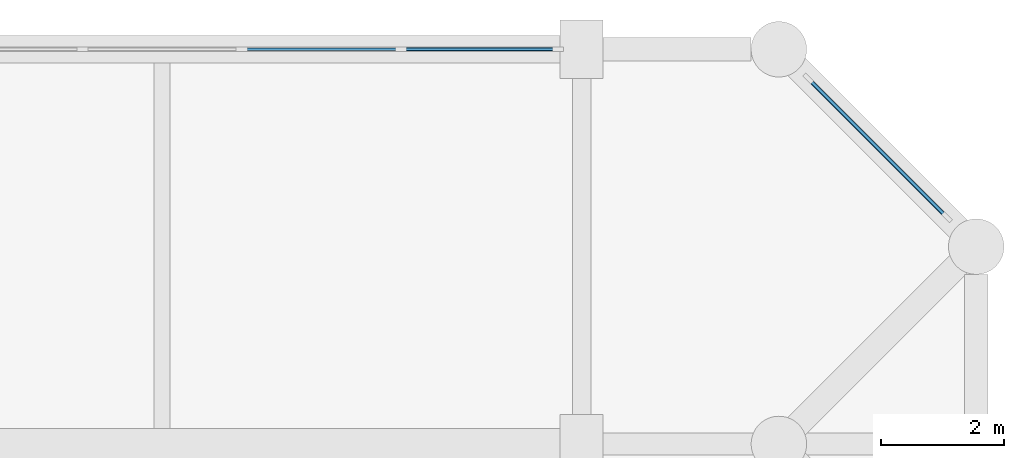
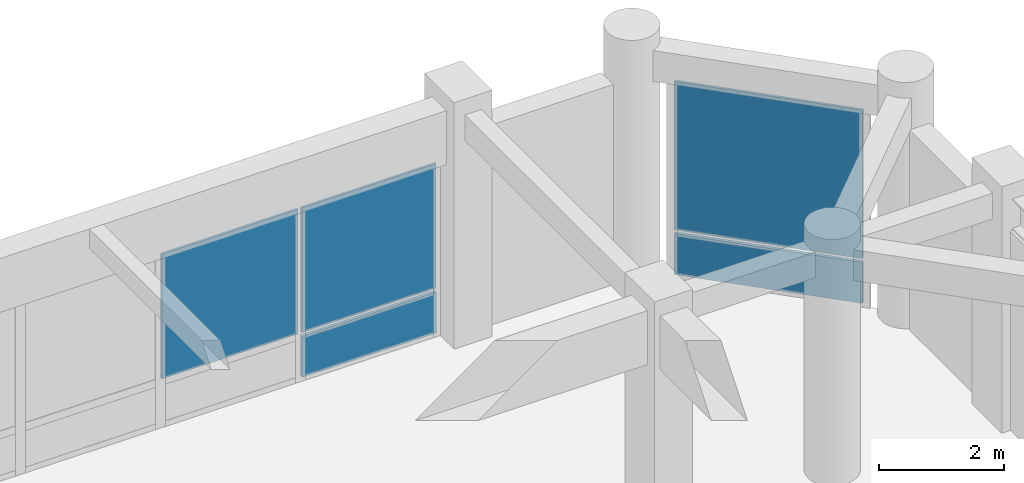
# One storey, part 39 of 61: 5 plates, 2 elements without a shape of their own.
"""IFC4 building model written with IfcOpenShell, lengths in metres."""

import ifcopenshell
import ifcopenshell.guid

model = None  # the IFC model being written
_history = None  # IfcOwnerHistory: only IFC2X3 demands one
_inside = {}  # id of a spatial element -> (the spatial element, [elements in it])
_under = {}  # id of a project, library or spatial element -> (it, [spatial elements below it])
_declared = {}  # id of a project -> (the project, [libraries it declares])
_typed = {}  # id of a type object -> (the type object, [elements of that type])
_made_of = {}  # id of a material, layer set ... -> (it, [elements and type objects made of it])


def new_model(schema):
    """Start an empty IFC model of exactly this schema.

    Asked for "IFC4X3", IfcOpenShell would pick the latest addendum, in which some entities
    have other attributes; the version numbers below select the first issue.
    IFC2X3 requires an IfcOwnerHistory on every rooted entity: one is made here for all.
    """
    global model, _history
    if schema == "IFC4X3":
        model = ifcopenshell.file(schema_version=(4, 3, 0, 0))
    else:
        model = ifcopenshell.file(schema=schema)
    _inside.clear()
    _under.clear()
    _declared.clear()
    _typed.clear()
    _made_of.clear()
    _history = None
    if model.schema == "IFC2X3":
        org = make("IfcOrganization", Name="unknown")
        user = make(
            "IfcPersonAndOrganization",
            ThePerson=make("IfcPerson", FamilyName="unknown"),
            TheOrganization=org,
        )
        app = make(
            "IfcApplication",
            ApplicationDeveloper=org,
            Version="unknown",
            ApplicationFullName="unknown",
            ApplicationIdentifier="unknown",
        )
        _history = make(
            "IfcOwnerHistory",
            OwningUser=user,
            OwningApplication=app,
            ChangeAction="ADDED",
            CreationDate=0,
        )
    return model


def make(cls, **values):
    """One entity of the class cls with the attributes given. An attribute that is None is left unset."""
    return model.create_entity(
        cls, **{name: value for name, value in values.items() if value is not None}
    )


def rooted(cls, **values):
    """An entity with a GlobalId (a new one), such as an element, a storey or a relation."""
    return make(cls, GlobalId=ifcopenshell.guid.new(), OwnerHistory=_history, **values)


def si_unit(unit_type, name, prefix=None):
    """IfcSIUnit, for example si_unit("LENGTHUNIT", "METRE", prefix="MILLI")."""
    return make("IfcSIUnit", UnitType=unit_type, Prefix=prefix, Name=name)


def assignment(units):
    """IfcUnitAssignment: the units of a project."""
    return None if units is None else make("IfcUnitAssignment", Units=units)


def point(xyz):
    """IfcCartesianPoint."""
    return None if xyz is None else make("IfcCartesianPoint", Coordinates=xyz)


def direction(xyz):
    """IfcDirection."""
    return None if xyz is None else make("IfcDirection", DirectionRatios=xyz)


def frame(location, z_axis=None, x_axis=None):
    """IfcAxis2Placement3D, a coordinate frame: its origin and axes. An axis left out is left unset."""
    return make(
        "IfcAxis2Placement3D",
        Location=point(location),
        Axis=direction(z_axis),
        RefDirection=direction(x_axis),
    )


def frame_2d(location, x_axis=None):
    """IfcAxis2Placement2D, a coordinate frame in the plane: its origin and x axis."""
    return make(
        "IfcAxis2Placement2D", Location=point(location), RefDirection=direction(x_axis)
    )


def origin():
    """The frame at (0, 0, 0) with its axes left unset."""
    return frame((0.0, 0.0, 0.0))


def origin_2d():
    """The frame at (0, 0) in the plane with its x axis left unset."""
    return frame_2d((0.0, 0.0))


def place(relative_to, where):
    """IfcLocalPlacement: puts the frame where relative to a parent placement (None: the world)."""
    return make(
        "IfcLocalPlacement", PlacementRelTo=relative_to, RelativePlacement=where
    )


def context(
    kind, dimensions, precision=None, world=None, true_north=None, identifier=None
):
    """IfcGeometricRepresentationContext, for example the 3D "Model" context."""
    return make(
        "IfcGeometricRepresentationContext",
        ContextIdentifier=identifier,
        ContextType=kind,
        CoordinateSpaceDimension=dimensions,
        Precision=precision,
        WorldCoordinateSystem=world,
        TrueNorth=true_north,
    )


def subcontext(parent, identifier, kind, view, scale=None):
    """IfcGeometricRepresentationSubContext, for example "Body" below "Model"."""
    return make(
        "IfcGeometricRepresentationSubContext",
        ContextIdentifier=identifier,
        ContextType=kind,
        ParentContext=parent,
        TargetScale=scale,
        TargetView=view,
    )


def project(units=None, contexts=None):
    """IfcProject with its units and contexts."""
    return rooted(
        "IfcProject",
        Name="project",
        RepresentationContexts=contexts,
        UnitsInContext=assignment(units),
    )


def spatial(cls, under=None, at=None, **own):
    """A site, building, storey or space (cls), placed at a placement, below another one or the project."""
    s = rooted(cls, ObjectPlacement=at, **own)
    if under is not None:
        _under.setdefault(under.id(), (under, []))[1].append(s)
    return s


def profile(cls, at=None, kind="AREA", **sizes):
    """A parametric profile (cls). Its sizes go by their IFC names, for example OverallWidth=200.0."""
    return make(cls, ProfileType=kind, Position=at, **sizes)


def rectangle(**sizes):
    """IfcRectangleProfileDef."""
    return profile("IfcRectangleProfileDef", **sizes)


def extrude(swept, where, along, depth):
    """IfcExtrudedAreaSolid: the profile swept, set in the frame where, extruded along a direction by depth."""
    return make(
        "IfcExtrudedAreaSolid",
        SweptArea=swept,
        Position=where,
        ExtrudedDirection=direction(along),
        Depth=depth,
    )


def shape(context_of_items, identifier, shape_type, items):
    """IfcShapeRepresentation: the items that make up one representation, for example the "Body"."""
    return make(
        "IfcShapeRepresentation",
        ContextOfItems=context_of_items,
        RepresentationIdentifier=identifier,
        RepresentationType=shape_type,
        Items=items,
    )


def material(Name=None, Category=None):
    """IfcMaterial."""
    return make("IfcMaterial", Name=Name, Category=Category)


def layer(
    of_material, thickness, ventilated=None, Name=None, Category=None, Priority=None
):
    """IfcMaterialLayer: one layer of a wall or slab, of a material (None: an air gap)."""
    return make(
        "IfcMaterialLayer",
        Material=of_material,
        LayerThickness=thickness,
        IsVentilated=ventilated,
        Name=Name,
        Category=Category,
        Priority=Priority,
    )


def layer_set(layers, Name=None):
    """IfcMaterialLayerSet."""
    return make("IfcMaterialLayerSet", MaterialLayers=layers, LayerSetName=Name)


def made_of(thing, what):
    """Note that an element or type object is made of a material, layer set ...; save() writes the relation."""
    if what is not None:
        _made_of.setdefault(what.id(), (what, []))[1].append(thing)
    return thing


def type_object(cls, material=None, **own):
    """A type object (cls), such as IfcWallType, which elements share."""
    return made_of(rooted(cls, **own), material)


def element(
    cls,
    number,
    at=None,
    inside=None,
    cuts=None,
    type_object=None,
    material=None,
    context=None,
    identifier="Body",
    shape_type=None,
    held_by="IfcProductDefinitionShape",
    body=None,
    shapes=None,
    **own,
):
    """One element of the class cls, such as IfcWall. Its Tag is "e" and its number.

    at: its placement. inside: the storey or other place that contains it. cuts: it is an
    opening in that element (IfcRelVoidsElement). A single representation is given by context,
    identifier, shape_type and body (its items); several are given by shapes. held_by: the class
    of the entity that holds the representations. save() writes the other relations.
    """
    e = rooted(cls, Tag="e%d" % number, ObjectPlacement=at, **own)
    if body is not None:
        shapes = [shape(context, identifier, shape_type, body)]
    if shapes is not None:
        e.Representation = make(held_by, Representations=shapes)
    if inside is not None:
        _inside.setdefault(inside.id(), (inside, []))[1].append(e)
    if cuts is not None:
        rooted(
            "IfcRelVoidsElement", RelatingBuildingElement=cuts, RelatedOpeningElement=e
        )
    if type_object is not None:
        _typed.setdefault(type_object.id(), (type_object, []))[1].append(e)
    return made_of(e, material)


def aggregate(whole, parts):
    """IfcRelAggregates: a whole, such as a stair, and the parts it consists of."""
    return rooted("IfcRelAggregates", RelatingObject=whole, RelatedObjects=parts)


def save(model, path):
    """Write the relations noted so far, then the file.

    IfcRelAggregates (storeys below a building ...), IfcRelContainedInSpatialStructure (elements
    in a storey), IfcRelDefinesByType, IfcRelAssociatesMaterial and IfcRelDeclares: one each for
    every whole, place, type object, material and project.
    """
    for whole, parts in _under.values():
        aggregate(whole, parts)
    for where, things in _inside.values():
        rooted(
            "IfcRelContainedInSpatialStructure",
            RelatedElements=things,
            RelatingStructure=where,
        )
    for kind, things in _typed.values():
        rooted("IfcRelDefinesByType", RelatedObjects=things, RelatingType=kind)
    for what, things in _made_of.values():
        rooted("IfcRelAssociatesMaterial", RelatedObjects=things, RelatingMaterial=what)
    for by, libraries in _declared.values():
        rooted("IfcRelDeclares", RelatingContext=by, RelatedDefinitions=libraries)
    model.write(path)


model = new_model("IFC4")

# Units and contexts
model_context = context("Model", 3, precision=1e-05, world=origin(), true_north=direction((0.0, 1.0)))
body_context = subcontext(model_context, "Body", "Model", "MODEL_VIEW")
ifc_project = project(units=[si_unit("LENGTHUNIT", "METRE"), si_unit("AREAUNIT", "SQUARE_METRE"), si_unit("VOLUMEUNIT", "CUBIC_METRE"), si_unit("PLANEANGLEUNIT", "RADIAN"), si_unit("MASSUNIT", "GRAM", prefix="KILO")], contexts=[model_context])

# Site, building, storey
site_placement = place(None, origin())
site = spatial("IfcSite", under=ifc_project, at=site_placement, CompositionType="ELEMENT")
building_placement = place(site_placement, origin())
building = spatial("IfcBuilding", under=site, at=building_placement, Name="Vellmiral Cinema and Media Centre", CompositionType="ELEMENT")
storey_placement = place(building_placement, frame((0.0, 0.0, 10.800048828125)))
storey = spatial("IfcBuildingStorey", under=building, at=storey_placement, Name="L02", CompositionType="ELEMENT", Elevation=10.800048828125)

# Curtain wall, plate
ifc_material_1 = material(Name="Thermally Broken Aluminium and Triple Glazing", Category="aluminium")
curtain_wall_type = type_object("IfcCurtainWallType", Name="CW-LIB-BAY", PredefinedType="USERDEFINED", material=ifc_material_1)
curtain_wall_1_placement = place(storey_placement, origin())
curtain_wall_1 = element("IfcCurtainWall", 1, at=curtain_wall_1_placement, inside=storey, type_object=curtain_wall_type, Name="Curtain Wall L02-B051", ObjectType="STICK CURTAIN WALL", PredefinedType="USERDEFINED")
ifc_material_2 = material(Name="Laminated Studio Acoustic Glazing", Category="glass")
ifc_layer_1 = layer(ifc_material_2, 0.0439453125, Name="Laminated Studio Acoustic Glazing")
ifc_layer_set_1 = layer_set([ifc_layer_1], Name="Laminated Studio Acoustic Glazing")
plate_type_1 = type_object("IfcPlateType", Name="CWP-ACOUST-44", PredefinedType="CURTAIN_PANEL", material=ifc_layer_set_1)
plate_1_placement = place(storey_placement, frame((166.39990234375, 113.60009765625, 0.93505859375), z_axis=(0.0, 0.0, 1.0), x_axis=(-0.707106781187, 0.707106781187, 0.0)))
plate_1 = element("IfcPlate", 2, at=plate_1_placement, type_object=plate_type_1, Name="CW-03 panel 1.2", PredefinedType="CURTAIN_PANEL", context=body_context, shape_type="SweptSolid", body=[
    extrude(rectangle(XDim=3.11279296875, YDim=0.0439453125, at=origin_2d()), origin(), (0.0, 0.0, 1.0), 2.89501953125),
])

# Curtain wall, plates
curtain_wall_2_placement = place(storey_placement, origin())
curtain_wall_2 = element("IfcCurtainWall", 3, at=curtain_wall_2_placement, inside=storey, type_object=curtain_wall_type, Name="Curtain Wall L02-B053", ObjectType="STICK CURTAIN WALL", PredefinedType="USERDEFINED")
plate_2_placement = place(storey_placement, frame((159.9423828125, 115.199951171875, 0.93505859375), z_axis=(0.0, 0.0, 1.0), x_axis=(-1.0, 0.0, 0.0)))
plate_2 = element("IfcPlate", 4, at=plate_2_placement, type_object=plate_type_1, Name="CW-03 panel 1.2", PredefinedType="CURTAIN_PANEL", context=body_context, shape_type="SweptSolid", body=[
    extrude(rectangle(XDim=2.47509765625, YDim=0.0439453125, at=origin_2d()), origin(), (0.0, 0.0, 1.0), 2.429931640625),
])
plate_3_placement = place(storey_placement, frame((157.3798828125, 115.199951171875, 0.93505859375), z_axis=(0.0, 0.0, 1.0), x_axis=(-1.0, 0.0, 0.0)))
plate_3 = element("IfcPlate", 5, at=plate_3_placement, type_object=plate_type_1, Name="CW-03 panel 2.2", PredefinedType="CURTAIN_PANEL", context=body_context, shape_type="SweptSolid", body=[
    extrude(rectangle(XDim=2.510009765625, YDim=0.0439453125, at=origin_2d()), origin(), (0.0, 0.0, 1.0), 2.429931640625),
])

# Plate
ifc_material_3 = material(Name="Honed Vosges Sandstone Spandrel Panel", Category="masonry")
ifc_layer_2 = layer(ifc_material_3, 0.06005859375, Name="Honed Vosges Sandstone Spandrel Panel")
ifc_layer_set_2 = layer_set([ifc_layer_2], Name="Honed Vosges Sandstone Spandrel Panel")
plate_type_2 = type_object("IfcPlateType", Name="CWP-SAND-60", PredefinedType="CURTAIN_PANEL", material=ifc_layer_set_2)
plate_4_placement = place(storey_placement, frame((166.39990234375, 113.60009765625, 0.070068359375), z_axis=(0.0, 0.0, 1.0), x_axis=(-0.707106781187, 0.707106781187, 0.0)))
plate_4 = element("IfcPlate", 6, at=plate_4_placement, type_object=plate_type_2, Name="CW-03 panel 1.1", PredefinedType="CURTAIN_PANEL", context=body_context, shape_type="SweptSolid", body=[
    extrude(rectangle(XDim=3.11279296875, YDim=0.06005859375, at=origin_2d()), origin(), (0.0, 0.0, 1.0), 0.794921875),
])

aggregate(curtain_wall_1, [plate_4, plate_1])

plate_5_placement = place(storey_placement, frame((159.9423828125, 115.199951171875, 0.070068359375), z_axis=(0.0, 0.0, 1.0), x_axis=(-1.0, 0.0, 0.0)))
plate_5 = element("IfcPlate", 7, at=plate_5_placement, type_object=plate_type_2, Name="CW-03 panel 1.1", PredefinedType="CURTAIN_PANEL", context=body_context, shape_type="SweptSolid", body=[
    extrude(rectangle(XDim=2.47509765625, YDim=0.06005859375, at=origin_2d()), origin(), (0.0, 0.0, 1.0), 0.794921875),
])

aggregate(curtain_wall_2, [plate_5, plate_2, plate_3])

save(model, "model.ifc")
